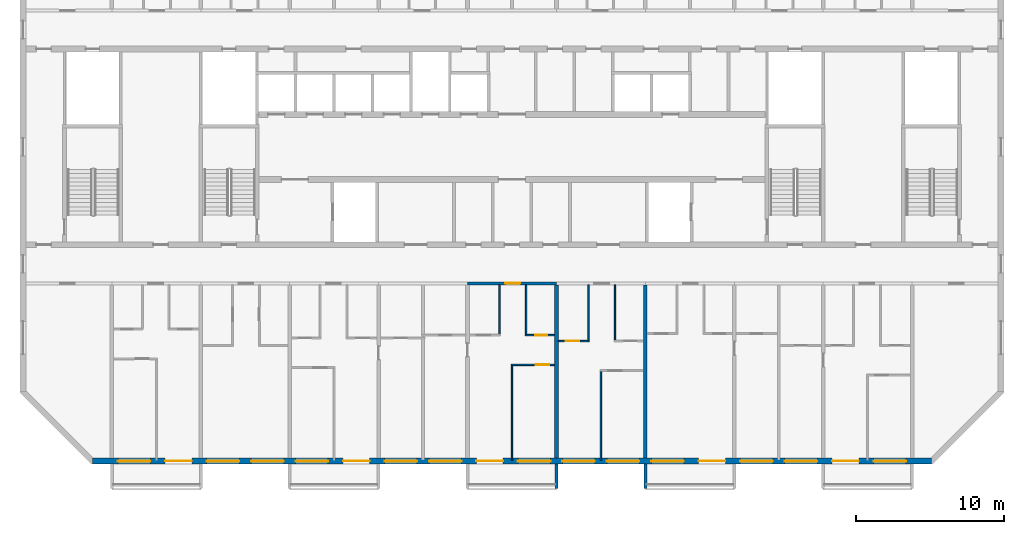
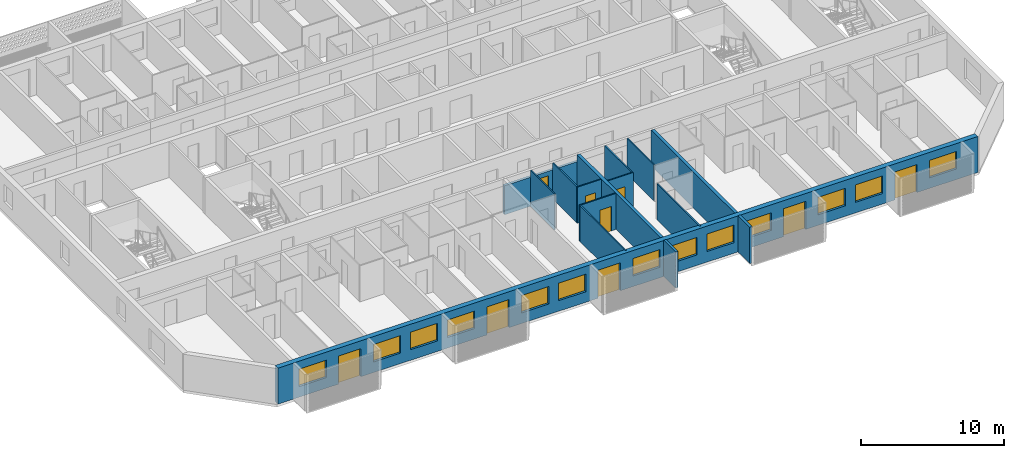
# One storey, part 4 of 27: 15 walls, 13 windows, 9 doors, 22 openings.
"""IFC4 building model written with IfcOpenShell, lengths in metres."""

from ifc_helpers import new_model, si_unit, direction, frame, frame_2d, origin, place, context, subcontext, project, spatial, polyline, rectangle, outline, extrude, source, transform, mapped, material, layer, layer_set, type_object, element, fill, save


model = new_model("IFC4")

# Units and contexts
model_context = context("Model", 3, precision=1e-05, world=origin(), true_north=direction((0.0, 1.0)))
body_context = subcontext(model_context, "Body", "Model", "MODEL_VIEW")
ifc_project = project(units=[si_unit("LENGTHUNIT", "METRE"), si_unit("AREAUNIT", "SQUARE_METRE"), si_unit("VOLUMEUNIT", "CUBIC_METRE"), si_unit("PLANEANGLEUNIT", "RADIAN"), si_unit("MASSUNIT", "GRAM", prefix="KILO")], contexts=[model_context])

# Site, building, storey
site_placement = place(None, origin())
site = spatial("IfcSite", under=ifc_project, at=site_placement, CompositionType="ELEMENT")
building_placement = place(site_placement, origin())
building = spatial("IfcBuilding", under=site, at=building_placement, Name="Poui Terraces", CompositionType="ELEMENT")
storey_placement = place(building_placement, frame((0.0, 0.0, 198.300048828125)))
storey = spatial("IfcBuildingStorey", under=building, at=storey_placement, Name="L55", CompositionType="ELEMENT", Elevation=198.300048828125)

# Wall, opening, door
ifc_material_1 = material(Name="Concrete 50 MPa", Category="concrete")
ifc_layer_1 = layer(ifc_material_1, 0.199951171875)
ifc_layer_set_1 = layer_set([ifc_layer_1], Name="Concrete 50 MPa")
wall_type_1 = type_object("IfcWallType", Name="CORRIDOR WALL 200 50MPa", PredefinedType="SHEAR", material=ifc_layer_set_1)
wall_1_placement = place(storey_placement, frame((48.0, 12.0, 0.0), z_axis=(0.0, 0.0, 1.0), x_axis=(1.0, 0.0, 0.0)))
wall_1 = element("IfcWall", 1, at=wall_1_placement, inside=storey, type_object=wall_type_1, Name="CORRIDOR WALL LINE B BAY 6", PredefinedType="SHEAR", context=body_context, shape_type="SweptSolid", body=[
    extrude(rectangle(XDim=6.0, YDim=0.199951171875, at=frame_2d((3.0, 0.0))), origin(), (0.0, 0.0, 1.0), 2.47998046875),
])
opening_1_placement = place(wall_1_placement, frame((2.550048828125, 0.0, 0.0)))
opening_1 = element("IfcOpeningElement", 2, at=opening_1_placement, cuts=wall_1, Name="Opening FD30S", PredefinedType="OPENING", context=body_context, shape_type="SweptSolid", body=[
    extrude(rectangle(XDim=1.0, YDim=2.10009765625, at=frame_2d((0.5, 1.050048828125))), frame((0.0, 0.10986328125, 0.0), z_axis=(0.0, -1.0, 0.0), x_axis=(1.0, 0.0, 0.0)), (0.0, 0.0, 1.0), 0.219970703125),
])
ifc_material_2 = material(Name="Steel fire door", Category="steel")
door_type_1 = type_object("IfcDoorType", Name="FLAT ENTRANCE DOOR 1000 X 2100", OperationType="NOTDEFINED", PredefinedType="DOOR", material=ifc_material_2)
door_1_placement = place(opening_1_placement, frame((1.0, 0.0, 0.0), z_axis=(0.0, 0.0, 1.0), x_axis=(-1.0, 0.0, 0.0)))
door_1 = element("IfcDoor", 3, at=door_1_placement, inside=storey, type_object=door_type_1, Name="FLAT ENTRANCE DOOR 080", OperationType="SINGLE_SWING_LEFT", OverallHeight=2.10009765625, OverallWidth=1.0, PredefinedType="DOOR", context=body_context, shape_type="SweptSolid", body=[
    extrude(rectangle(XDim=1.0, YDim=2.10009765625, at=frame_2d((0.5, 1.050048828125))), frame((0.0, 0.02490234375, 0.0), z_axis=(0.0, -1.0, 0.0), x_axis=(1.0, 0.0, 0.0)), (0.0, 0.0, 1.0), 0.050048828125),
])
fill(opening_1, door_1)

# Walls
ifc_layer_2 = layer(ifc_material_1, 0.25)
ifc_layer_set_2 = layer_set([ifc_layer_2], Name="Concrete 50 MPa")
wall_type_2 = type_object("IfcWallType", Name="CROSS WALL 250 50MPa", PredefinedType="SHEAR", material=ifc_layer_set_2)
for number, where, z_axis, x_axis, name in (
    (4, (54.0, 0.199951171875, 0.0), (0.0, 0.0, 1.0), (0.0, 1.0, 0.0), "CROSS WALL LINE 10 SOUTH"),
    (5, (60.0, 0.199951171875, 0.0), (0.0, 0.0, 1.0), (0.0, 1.0, 0.0), "CROSS WALL LINE 11 SOUTH"),
):
    element("IfcWall", number, at=place(storey_placement, frame(where, z_axis=z_axis, x_axis=x_axis)), inside=storey, type_object=wall_type_2, Name=name, PredefinedType="SHEAR", context=body_context, shape_type="SweptSolid", body=[
        extrude(rectangle(XDim=11.699951171875, YDim=0.25, at=frame_2d((5.85009765625, 0.0))), origin(), (0.0, 0.0, 1.0), 3.079833984375),
    ])

# Wall, openings, doors, windows
ifc_material_3 = material(Name="Precast concrete 40 MPa", Category="concrete")
ifc_layer_3 = layer(ifc_material_3, 0.39990234375)
ifc_layer_set_3 = layer_set([ifc_layer_3], Name="Precast concrete 40 MPa")
wall_type_3 = type_object("IfcWallType", Name="EXTERNAL WALL 400", PredefinedType="STANDARD", material=ifc_layer_set_3)
wall_2_placement = place(storey_placement, frame((22.682861328125, 0.0, 0.0), z_axis=(0.0, 0.0, 1.0), x_axis=(1.0, 0.0, 0.0)))
wall_2 = element("IfcWall", 6, at=wall_2_placement, inside=storey, type_object=wall_type_3, Name="EXTERNAL WALL S", PredefinedType="STANDARD", context=body_context, shape_type="SweptSolid", body=[
    extrude(rectangle(XDim=56.63427734375, YDim=0.39990234375, at=frame_2d((28.317138671875, 0.0))), origin(), (0.0, 0.0, 1.0), 3.079833984375),
])
opening_2_placement = place(wall_2_placement, frame((1.71728515625, 0.0, 0.89990234375)))
opening_2 = element("IfcOpeningElement", 7, at=opening_2_placement, cuts=wall_2, Name="Opening W1", PredefinedType="OPENING", context=body_context, shape_type="SweptSolid", body=[
    extrude(rectangle(XDim=2.199951171875, YDim=1.5, at=frame_2d((1.10009765625, 0.75))), frame((0.0, 0.2099609375, 0.0), z_axis=(0.0, -1.0, 0.0), x_axis=(1.0, 0.0, 0.0)), (0.0, 0.0, 1.0), 0.419921875),
])
opening_3_placement = place(wall_2_placement, frame((4.917236328125, 0.0, 0.0)))
opening_3 = element("IfcOpeningElement", 8, at=opening_3_placement, cuts=wall_2, Name="Opening BD1", PredefinedType="OPENING", context=body_context, shape_type="SweptSolid", body=[
    extrude(rectangle(XDim=1.800048828125, YDim=2.39990234375, at=frame_2d((0.89990234375, 1.199951171875))), frame((0.0, 0.2099609375, 0.0), z_axis=(0.0, -1.0, 0.0), x_axis=(1.0, 0.0, 0.0)), (0.0, 0.0, 1.0), 0.419921875),
])
opening_4_placement = place(wall_2_placement, frame((7.71728515625, 0.0, 0.89990234375)))
opening_4 = element("IfcOpeningElement", 9, at=opening_4_placement, cuts=wall_2, Name="Opening W1", PredefinedType="OPENING", context=body_context, shape_type="SweptSolid", body=[
    extrude(rectangle(XDim=2.199951171875, YDim=1.5, at=frame_2d((1.10009765625, 0.75))), frame((0.0, 0.2099609375, 0.0), z_axis=(0.0, -1.0, 0.0), x_axis=(1.0, 0.0, 0.0)), (0.0, 0.0, 1.0), 0.419921875),
])
opening_5_placement = place(wall_2_placement, frame((10.71728515625, 0.0, 0.89990234375)))
opening_5 = element("IfcOpeningElement", 10, at=opening_5_placement, cuts=wall_2, Name="Opening W1", PredefinedType="OPENING", context=body_context, shape_type="SweptSolid", body=[
    extrude(rectangle(XDim=2.199951171875, YDim=1.5, at=frame_2d((1.10009765625, 0.75))), frame((0.0, 0.2099609375, 0.0), z_axis=(0.0, -1.0, 0.0), x_axis=(1.0, 0.0, 0.0)), (0.0, 0.0, 1.0), 0.419921875),
])
opening_6_placement = place(wall_2_placement, frame((13.71728515625, 0.0, 0.89990234375)))
opening_6 = element("IfcOpeningElement", 11, at=opening_6_placement, cuts=wall_2, Name="Opening W1", PredefinedType="OPENING", context=body_context, shape_type="SweptSolid", body=[
    extrude(rectangle(XDim=2.199951171875, YDim=1.5, at=frame_2d((1.10009765625, 0.75))), frame((0.0, 0.2099609375, 0.0), z_axis=(0.0, -1.0, 0.0), x_axis=(1.0, 0.0, 0.0)), (0.0, 0.0, 1.0), 0.419921875),
])
opening_7_placement = place(wall_2_placement, frame((16.917236328125, 0.0, 0.0)))
opening_7 = element("IfcOpeningElement", 12, at=opening_7_placement, cuts=wall_2, Name="Opening BD1", PredefinedType="OPENING", context=body_context, shape_type="SweptSolid", body=[
    extrude(rectangle(XDim=1.800048828125, YDim=2.39990234375, at=frame_2d((0.89990234375, 1.199951171875))), frame((0.0, 0.2099609375, 0.0), z_axis=(0.0, -1.0, 0.0), x_axis=(1.0, 0.0, 0.0)), (0.0, 0.0, 1.0), 0.419921875),
])
opening_8_placement = place(wall_2_placement, frame((19.71728515625, 0.0, 0.89990234375)))
opening_8 = element("IfcOpeningElement", 13, at=opening_8_placement, cuts=wall_2, Name="Opening W1", PredefinedType="OPENING", context=body_context, shape_type="SweptSolid", body=[
    extrude(rectangle(XDim=2.199951171875, YDim=1.5, at=frame_2d((1.10009765625, 0.75))), frame((0.0, 0.2099609375, 0.0), z_axis=(0.0, -1.0, 0.0), x_axis=(1.0, 0.0, 0.0)), (0.0, 0.0, 1.0), 0.419921875),
])
opening_9_placement = place(wall_2_placement, frame((22.71728515625, 0.0, 0.89990234375)))
opening_9 = element("IfcOpeningElement", 14, at=opening_9_placement, cuts=wall_2, Name="Opening W1", PredefinedType="OPENING", context=body_context, shape_type="SweptSolid", body=[
    extrude(rectangle(XDim=2.199951171875, YDim=1.5, at=frame_2d((1.10009765625, 0.75))), frame((0.0, 0.2099609375, 0.0), z_axis=(0.0, -1.0, 0.0), x_axis=(1.0, 0.0, 0.0)), (0.0, 0.0, 1.0), 0.419921875),
])
opening_10_placement = place(wall_2_placement, frame((25.917236328125, 0.0, 0.0)))
opening_10 = element("IfcOpeningElement", 15, at=opening_10_placement, cuts=wall_2, Name="Opening BD1", PredefinedType="OPENING", context=body_context, shape_type="SweptSolid", body=[
    extrude(rectangle(XDim=1.800048828125, YDim=2.39990234375, at=frame_2d((0.89990234375, 1.199951171875))), frame((0.0, 0.2099609375, 0.0), z_axis=(0.0, -1.0, 0.0), x_axis=(1.0, 0.0, 0.0)), (0.0, 0.0, 1.0), 0.419921875),
])
opening_11_placement = place(wall_2_placement, frame((28.71728515625, 0.0, 0.89990234375)))
opening_11 = element("IfcOpeningElement", 16, at=opening_11_placement, cuts=wall_2, Name="Opening W1", PredefinedType="OPENING", context=body_context, shape_type="SweptSolid", body=[
    extrude(rectangle(XDim=2.199951171875, YDim=1.5, at=frame_2d((1.10009765625, 0.75))), frame((0.0, 0.2099609375, 0.0), z_axis=(0.0, -1.0, 0.0), x_axis=(1.0, 0.0, 0.0)), (0.0, 0.0, 1.0), 0.419921875),
])
opening_12_placement = place(wall_2_placement, frame((31.71728515625, 0.0, 0.89990234375)))
opening_12 = element("IfcOpeningElement", 17, at=opening_12_placement, cuts=wall_2, Name="Opening W1", PredefinedType="OPENING", context=body_context, shape_type="SweptSolid", body=[
    extrude(rectangle(XDim=2.199951171875, YDim=1.5, at=frame_2d((1.10009765625, 0.75))), frame((0.0, 0.2099609375, 0.0), z_axis=(0.0, -1.0, 0.0), x_axis=(1.0, 0.0, 0.0)), (0.0, 0.0, 1.0), 0.419921875),
])
opening_13_placement = place(wall_2_placement, frame((34.71728515625, 0.0, 0.89990234375)))
opening_13 = element("IfcOpeningElement", 18, at=opening_13_placement, cuts=wall_2, Name="Opening W1", PredefinedType="OPENING", context=body_context, shape_type="SweptSolid", body=[
    extrude(rectangle(XDim=2.199951171875, YDim=1.5, at=frame_2d((1.10009765625, 0.75))), frame((0.0, 0.2099609375, 0.0), z_axis=(0.0, -1.0, 0.0), x_axis=(1.0, 0.0, 0.0)), (0.0, 0.0, 1.0), 0.419921875),
])
opening_14_placement = place(wall_2_placement, frame((37.71728515625, 0.0, 0.89990234375)))
opening_14 = element("IfcOpeningElement", 19, at=opening_14_placement, cuts=wall_2, Name="Opening W1", PredefinedType="OPENING", context=body_context, shape_type="SweptSolid", body=[
    extrude(rectangle(XDim=2.199951171875, YDim=1.5, at=frame_2d((1.10009765625, 0.75))), frame((0.0, 0.2099609375, 0.0), z_axis=(0.0, -1.0, 0.0), x_axis=(1.0, 0.0, 0.0)), (0.0, 0.0, 1.0), 0.419921875),
])
opening_15_placement = place(wall_2_placement, frame((40.917236328125, 0.0, 0.0)))
opening_15 = element("IfcOpeningElement", 20, at=opening_15_placement, cuts=wall_2, Name="Opening BD1", PredefinedType="OPENING", context=body_context, shape_type="SweptSolid", body=[
    extrude(rectangle(XDim=1.800048828125, YDim=2.39990234375, at=frame_2d((0.89990234375, 1.199951171875))), frame((0.0, 0.2099609375, 0.0), z_axis=(0.0, -1.0, 0.0), x_axis=(1.0, 0.0, 0.0)), (0.0, 0.0, 1.0), 0.419921875),
])
opening_16_placement = place(wall_2_placement, frame((43.71728515625, 0.0, 0.89990234375)))
opening_16 = element("IfcOpeningElement", 21, at=opening_16_placement, cuts=wall_2, Name="Opening W1", PredefinedType="OPENING", context=body_context, shape_type="SweptSolid", body=[
    extrude(rectangle(XDim=2.199951171875, YDim=1.5, at=frame_2d((1.10009765625, 0.75))), frame((0.0, 0.2099609375, 0.0), z_axis=(0.0, -1.0, 0.0), x_axis=(1.0, 0.0, 0.0)), (0.0, 0.0, 1.0), 0.419921875),
])
opening_17_placement = place(wall_2_placement, frame((46.71728515625, 0.0, 0.89990234375)))
opening_17 = element("IfcOpeningElement", 22, at=opening_17_placement, cuts=wall_2, Name="Opening W1", PredefinedType="OPENING", context=body_context, shape_type="SweptSolid", body=[
    extrude(rectangle(XDim=2.199951171875, YDim=1.5, at=frame_2d((1.10009765625, 0.75))), frame((0.0, 0.2099609375, 0.0), z_axis=(0.0, -1.0, 0.0), x_axis=(1.0, 0.0, 0.0)), (0.0, 0.0, 1.0), 0.419921875),
])
opening_18_placement = place(wall_2_placement, frame((49.917236328125, 0.0, 0.0)))
opening_18 = element("IfcOpeningElement", 23, at=opening_18_placement, cuts=wall_2, Name="Opening BD1", PredefinedType="OPENING", context=body_context, shape_type="SweptSolid", body=[
    extrude(rectangle(XDim=1.800048828125, YDim=2.39990234375, at=frame_2d((0.89990234375, 1.199951171875))), frame((0.0, 0.2099609375, 0.0), z_axis=(0.0, -1.0, 0.0), x_axis=(1.0, 0.0, 0.0)), (0.0, 0.0, 1.0), 0.419921875),
])
opening_19_placement = place(wall_2_placement, frame((52.71728515625, 0.0, 0.89990234375)))
opening_19 = element("IfcOpeningElement", 24, at=opening_19_placement, cuts=wall_2, Name="Opening W1", PredefinedType="OPENING", context=body_context, shape_type="SweptSolid", body=[
    extrude(rectangle(XDim=2.199951171875, YDim=1.5, at=frame_2d((1.10009765625, 0.75))), frame((0.0, 0.2099609375, 0.0), z_axis=(0.0, -1.0, 0.0), x_axis=(1.0, 0.0, 0.0)), (0.0, 0.0, 1.0), 0.419921875),
])
ifc_material_4 = material(Name="Clear glass in aluminium frame", Category="aluminium")
door_type_2 = type_object("IfcDoorType", Name="BALCONY DOOR 1800X2400", OperationType="DOUBLE_DOOR_SLIDING", PredefinedType="DOOR", material=ifc_material_4)
door_2_placement = place(opening_3_placement, origin())
door_2 = element("IfcDoor", 25, at=door_2_placement, inside=storey, type_object=door_type_2, Name="BD1 BALCONY DOOR", OperationType="DOUBLE_DOOR_SLIDING", OverallHeight=2.39990234375, OverallWidth=1.800048828125, PredefinedType="DOOR", context=body_context, shape_type="SweptSolid", body=[
    extrude(rectangle(XDim=1.800048828125, YDim=2.39990234375, at=frame_2d((0.89990234375, 1.199951171875))), frame((0.0, 0.02490234375, 0.0), z_axis=(0.0, -1.0, 0.0), x_axis=(1.0, 0.0, 0.0)), (0.0, 0.0, 1.0), 0.050048828125),
])
fill(opening_3, door_2)
door_3_placement = place(opening_7_placement, origin())
door_3 = element("IfcDoor", 26, at=door_3_placement, inside=storey, type_object=door_type_2, Name="BD1 BALCONY DOOR", OperationType="DOUBLE_DOOR_SLIDING", OverallHeight=2.39990234375, OverallWidth=1.800048828125, PredefinedType="DOOR", context=body_context, shape_type="SweptSolid", body=[
    extrude(rectangle(XDim=1.800048828125, YDim=2.39990234375, at=frame_2d((0.89990234375, 1.199951171875))), frame((0.0, 0.02490234375, 0.0), z_axis=(0.0, -1.0, 0.0), x_axis=(1.0, 0.0, 0.0)), (0.0, 0.0, 1.0), 0.050048828125),
])
fill(opening_7, door_3)
door_4_placement = place(opening_10_placement, origin())
door_4 = element("IfcDoor", 27, at=door_4_placement, inside=storey, type_object=door_type_2, Name="BD1 BALCONY DOOR", OperationType="DOUBLE_DOOR_SLIDING", OverallHeight=2.39990234375, OverallWidth=1.800048828125, PredefinedType="DOOR", context=body_context, shape_type="SweptSolid", body=[
    extrude(rectangle(XDim=1.800048828125, YDim=2.39990234375, at=frame_2d((0.89990234375, 1.199951171875))), frame((0.0, 0.02490234375, 0.0), z_axis=(0.0, -1.0, 0.0), x_axis=(1.0, 0.0, 0.0)), (0.0, 0.0, 1.0), 0.050048828125),
])
fill(opening_10, door_4)
door_5_placement = place(opening_15_placement, origin())
door_5 = element("IfcDoor", 28, at=door_5_placement, inside=storey, type_object=door_type_2, Name="BD1 BALCONY DOOR", OperationType="DOUBLE_DOOR_SLIDING", OverallHeight=2.39990234375, OverallWidth=1.800048828125, PredefinedType="DOOR", context=body_context, shape_type="SweptSolid", body=[
    extrude(rectangle(XDim=1.800048828125, YDim=2.39990234375, at=frame_2d((0.89990234375, 1.199951171875))), frame((0.0, 0.02490234375, 0.0), z_axis=(0.0, -1.0, 0.0), x_axis=(1.0, 0.0, 0.0)), (0.0, 0.0, 1.0), 0.050048828125),
])
fill(opening_15, door_5)
door_6_placement = place(opening_18_placement, origin())
door_6 = element("IfcDoor", 29, at=door_6_placement, inside=storey, type_object=door_type_2, Name="BD1 BALCONY DOOR", OperationType="DOUBLE_DOOR_SLIDING", OverallHeight=2.39990234375, OverallWidth=1.800048828125, PredefinedType="DOOR", context=body_context, shape_type="SweptSolid", body=[
    extrude(rectangle(XDim=1.800048828125, YDim=2.39990234375, at=frame_2d((0.89990234375, 1.199951171875))), frame((0.0, 0.02490234375, 0.0), z_axis=(0.0, -1.0, 0.0), x_axis=(1.0, 0.0, 0.0)), (0.0, 0.0, 1.0), 0.050048828125),
])
fill(opening_18, door_6)
window_type = type_object("IfcWindowType", Name="WINDOW 2200X1500", PartitioningType="DOUBLE_PANEL_HORIZONTAL", PredefinedType="WINDOW", material=ifc_material_4)
window_1_placement = place(opening_2_placement, origin())
window_1 = element("IfcWindow", 30, at=window_1_placement, inside=storey, type_object=window_type, Name="W1 WINDOW", OverallHeight=1.5, OverallWidth=2.199951171875, PartitioningType="DOUBLE_PANEL_HORIZONTAL", PredefinedType="WINDOW", context=body_context, shape_type="SweptSolid", body=[
    extrude(rectangle(XDim=2.199951171875, YDim=1.5, at=frame_2d((1.10009765625, 0.75))), frame((0.0, 0.030029296875, 0.0), z_axis=(0.0, -1.0, 0.0), x_axis=(1.0, 0.0, 0.0)), (0.0, 0.0, 1.0), 0.06005859375),
])
fill(opening_2, window_1)
window_2_placement = place(opening_4_placement, origin())
window_2 = element("IfcWindow", 31, at=window_2_placement, inside=storey, type_object=window_type, Name="W1 WINDOW", OverallHeight=1.5, OverallWidth=2.199951171875, PartitioningType="DOUBLE_PANEL_HORIZONTAL", PredefinedType="WINDOW", context=body_context, shape_type="SweptSolid", body=[
    extrude(rectangle(XDim=2.199951171875, YDim=1.5, at=frame_2d((1.10009765625, 0.75))), frame((0.0, 0.030029296875, 0.0), z_axis=(0.0, -1.0, 0.0), x_axis=(1.0, 0.0, 0.0)), (0.0, 0.0, 1.0), 0.06005859375),
])
fill(opening_4, window_2)
window_3_placement = place(opening_5_placement, origin())
window_3 = element("IfcWindow", 32, at=window_3_placement, inside=storey, type_object=window_type, Name="W1 WINDOW", OverallHeight=1.5, OverallWidth=2.199951171875, PartitioningType="DOUBLE_PANEL_HORIZONTAL", PredefinedType="WINDOW", context=body_context, shape_type="SweptSolid", body=[
    extrude(rectangle(XDim=2.199951171875, YDim=1.5, at=frame_2d((1.10009765625, 0.75))), frame((0.0, 0.030029296875, 0.0), z_axis=(0.0, -1.0, 0.0), x_axis=(1.0, 0.0, 0.0)), (0.0, 0.0, 1.0), 0.06005859375),
])
fill(opening_5, window_3)
window_4_placement = place(opening_6_placement, origin())
window_4 = element("IfcWindow", 33, at=window_4_placement, inside=storey, type_object=window_type, Name="W1 WINDOW", OverallHeight=1.5, OverallWidth=2.199951171875, PartitioningType="DOUBLE_PANEL_HORIZONTAL", PredefinedType="WINDOW", context=body_context, shape_type="SweptSolid", body=[
    extrude(rectangle(XDim=2.199951171875, YDim=1.5, at=frame_2d((1.10009765625, 0.75))), frame((0.0, 0.030029296875, 0.0), z_axis=(0.0, -1.0, 0.0), x_axis=(1.0, 0.0, 0.0)), (0.0, 0.0, 1.0), 0.06005859375),
])
fill(opening_6, window_4)
window_5_placement = place(opening_8_placement, origin())
window_5 = element("IfcWindow", 34, at=window_5_placement, inside=storey, type_object=window_type, Name="W1 WINDOW", OverallHeight=1.5, OverallWidth=2.199951171875, PartitioningType="DOUBLE_PANEL_HORIZONTAL", PredefinedType="WINDOW", context=body_context, shape_type="SweptSolid", body=[
    extrude(rectangle(XDim=2.199951171875, YDim=1.5, at=frame_2d((1.10009765625, 0.75))), frame((0.0, 0.030029296875, 0.0), z_axis=(0.0, -1.0, 0.0), x_axis=(1.0, 0.0, 0.0)), (0.0, 0.0, 1.0), 0.06005859375),
])
fill(opening_8, window_5)
window_6_placement = place(opening_9_placement, origin())
window_6 = element("IfcWindow", 35, at=window_6_placement, inside=storey, type_object=window_type, Name="W1 WINDOW", OverallHeight=1.5, OverallWidth=2.199951171875, PartitioningType="DOUBLE_PANEL_HORIZONTAL", PredefinedType="WINDOW", context=body_context, shape_type="SweptSolid", body=[
    extrude(rectangle(XDim=2.199951171875, YDim=1.5, at=frame_2d((1.10009765625, 0.75))), frame((0.0, 0.030029296875, 0.0), z_axis=(0.0, -1.0, 0.0), x_axis=(1.0, 0.0, 0.0)), (0.0, 0.0, 1.0), 0.06005859375),
])
fill(opening_9, window_6)
window_7_placement = place(opening_11_placement, origin())
window_7 = element("IfcWindow", 36, at=window_7_placement, inside=storey, type_object=window_type, Name="W1 WINDOW", OverallHeight=1.5, OverallWidth=2.199951171875, PartitioningType="DOUBLE_PANEL_HORIZONTAL", PredefinedType="WINDOW", context=body_context, shape_type="SweptSolid", body=[
    extrude(rectangle(XDim=2.199951171875, YDim=1.5, at=frame_2d((1.10009765625, 0.75))), frame((0.0, 0.030029296875, 0.0), z_axis=(0.0, -1.0, 0.0), x_axis=(1.0, 0.0, 0.0)), (0.0, 0.0, 1.0), 0.06005859375),
])
fill(opening_11, window_7)
window_8_placement = place(opening_12_placement, origin())
window_8 = element("IfcWindow", 37, at=window_8_placement, inside=storey, type_object=window_type, Name="W1 WINDOW", OverallHeight=1.5, OverallWidth=2.199951171875, PartitioningType="DOUBLE_PANEL_HORIZONTAL", PredefinedType="WINDOW", context=body_context, shape_type="SweptSolid", body=[
    extrude(rectangle(XDim=2.199951171875, YDim=1.5, at=frame_2d((1.10009765625, 0.75))), frame((0.0, 0.030029296875, 0.0), z_axis=(0.0, -1.0, 0.0), x_axis=(1.0, 0.0, 0.0)), (0.0, 0.0, 1.0), 0.06005859375),
])
fill(opening_12, window_8)
window_9_placement = place(opening_13_placement, origin())
window_9 = element("IfcWindow", 38, at=window_9_placement, inside=storey, type_object=window_type, Name="W1 WINDOW", OverallHeight=1.5, OverallWidth=2.199951171875, PartitioningType="DOUBLE_PANEL_HORIZONTAL", PredefinedType="WINDOW", context=body_context, shape_type="SweptSolid", body=[
    extrude(rectangle(XDim=2.199951171875, YDim=1.5, at=frame_2d((1.10009765625, 0.75))), frame((0.0, 0.030029296875, 0.0), z_axis=(0.0, -1.0, 0.0), x_axis=(1.0, 0.0, 0.0)), (0.0, 0.0, 1.0), 0.06005859375),
])
fill(opening_13, window_9)
window_10_placement = place(opening_14_placement, origin())
window_10 = element("IfcWindow", 39, at=window_10_placement, inside=storey, type_object=window_type, Name="W1 WINDOW", OverallHeight=1.5, OverallWidth=2.199951171875, PartitioningType="DOUBLE_PANEL_HORIZONTAL", PredefinedType="WINDOW", context=body_context, shape_type="SweptSolid", body=[
    extrude(rectangle(XDim=2.199951171875, YDim=1.5, at=frame_2d((1.10009765625, 0.75))), frame((0.0, 0.030029296875, 0.0), z_axis=(0.0, -1.0, 0.0), x_axis=(1.0, 0.0, 0.0)), (0.0, 0.0, 1.0), 0.06005859375),
])
fill(opening_14, window_10)
window_11_placement = place(opening_16_placement, origin())
window_11 = element("IfcWindow", 40, at=window_11_placement, inside=storey, type_object=window_type, Name="W1 WINDOW", OverallHeight=1.5, OverallWidth=2.199951171875, PartitioningType="DOUBLE_PANEL_HORIZONTAL", PredefinedType="WINDOW", context=body_context, shape_type="SweptSolid", body=[
    extrude(rectangle(XDim=2.199951171875, YDim=1.5, at=frame_2d((1.10009765625, 0.75))), frame((0.0, 0.030029296875, 0.0), z_axis=(0.0, -1.0, 0.0), x_axis=(1.0, 0.0, 0.0)), (0.0, 0.0, 1.0), 0.06005859375),
])
fill(opening_16, window_11)
window_12_placement = place(opening_17_placement, origin())
window_12 = element("IfcWindow", 41, at=window_12_placement, inside=storey, type_object=window_type, Name="W1 WINDOW", OverallHeight=1.5, OverallWidth=2.199951171875, PartitioningType="DOUBLE_PANEL_HORIZONTAL", PredefinedType="WINDOW", context=body_context, shape_type="SweptSolid", body=[
    extrude(rectangle(XDim=2.199951171875, YDim=1.5, at=frame_2d((1.10009765625, 0.75))), frame((0.0, 0.030029296875, 0.0), z_axis=(0.0, -1.0, 0.0), x_axis=(1.0, 0.0, 0.0)), (0.0, 0.0, 1.0), 0.06005859375),
])
fill(opening_17, window_12)
window_13_placement = place(opening_19_placement, origin())
window_13 = element("IfcWindow", 42, at=window_13_placement, inside=storey, type_object=window_type, Name="W1 WINDOW", OverallHeight=1.5, OverallWidth=2.199951171875, PartitioningType="DOUBLE_PANEL_HORIZONTAL", PredefinedType="WINDOW", context=body_context, shape_type="SweptSolid", body=[
    extrude(rectangle(XDim=2.199951171875, YDim=1.5, at=frame_2d((1.10009765625, 0.75))), frame((0.0, 0.030029296875, 0.0), z_axis=(0.0, -1.0, 0.0), x_axis=(1.0, 0.0, 0.0)), (0.0, 0.0, 1.0), 0.06005859375),
])
fill(opening_19, window_13)

# Wall, opening, door
ifc_material_5 = material(Name="Plasterboard partition")
ifc_layer_4 = layer(ifc_material_5, 0.10009765625)
ifc_layer_set_4 = layer_set([ifc_layer_4], Name="Plasterboard partition")
wall_type_4 = type_object("IfcWallType", Name="FLAT PARTITION 100", PredefinedType="PARTITIONING", material=ifc_layer_set_4)
wall_3_placement = place(storey_placement, frame((50.949951171875, 6.5, 0.0), z_axis=(0.0, 0.0, 1.0), x_axis=(1.0, 0.0, 0.0)))
wall_3 = element("IfcWall", 43, at=wall_3_placement, inside=storey, type_object=wall_type_4, Name="FLAT PARTITION 100", PredefinedType="PARTITIONING", context=body_context, shape_type="SweptSolid", body=[
    extrude(rectangle(XDim=2.9150390625, YDim=0.10009765625, at=frame_2d((1.45751953125, 0.0))), origin(), (0.0, 0.0, 1.0), 3.079833984375),
])
opening_20_placement = place(wall_3_placement, frame((1.64990234375, 0.0, 0.0)))
opening_20 = element("IfcOpeningElement", 44, at=opening_20_placement, cuts=wall_3, Name="Opening D90", PredefinedType="OPENING", context=body_context, shape_type="SweptSolid", body=[
    extrude(rectangle(XDim=0.89990234375, YDim=2.10009765625, at=frame_2d((0.449951171875, 1.050048828125))), frame((0.0, 0.06005859375, 0.0), z_axis=(0.0, -1.0, 0.0), x_axis=(1.0, 0.0, 0.0)), (0.0, 0.0, 1.0), 0.1201171875),
])
ifc_material_6 = material(Name="Solid core timber door", Category="wood")
door_type_3 = type_object("IfcDoorType", Name="INTERNAL DOOR 900 X 2100", OperationType="NOTDEFINED", PredefinedType="DOOR", material=ifc_material_6)
door_7_placement = place(opening_20_placement, origin())
door_7 = element("IfcDoor", 45, at=door_7_placement, inside=storey, type_object=door_type_3, Name="INTERNAL DOOR 082", OperationType="SINGLE_SWING_LEFT", OverallHeight=2.10009765625, OverallWidth=0.89990234375, PredefinedType="DOOR", context=body_context, shape_type="SweptSolid", body=[
    extrude(rectangle(XDim=0.89990234375, YDim=2.10009765625, at=frame_2d((0.449951171875, 1.050048828125))), frame((0.0, 0.02490234375, 0.0), z_axis=(0.0, -1.0, 0.0), x_axis=(1.0, 0.0, 0.0)), (0.0, 0.0, 1.0), 0.050048828125),
])
fill(opening_20, door_7)

wall_4_placement = place(storey_placement, frame((54.135009765625, 8.10009765625, 0.0), z_axis=(0.0, 0.0, 1.0), x_axis=(1.0, 0.0, 0.0)))
wall_4 = element("IfcWall", 46, at=wall_4_placement, inside=storey, type_object=wall_type_4, Name="FLAT PARTITION 100", PredefinedType="PARTITIONING", context=body_context, shape_type="SweptSolid", body=[
    extrude(rectangle(XDim=2.06494140625, YDim=0.10009765625, at=frame_2d((1.032470703125, 0.0))), origin(), (0.0, 0.0, 1.0), 3.079833984375),
])
opening_21_placement = place(wall_4_placement, frame((0.489990234375, 0.0, 0.0)))
opening_21 = element("IfcOpeningElement", 47, at=opening_21_placement, cuts=wall_4, Name="Opening D90", PredefinedType="OPENING", context=body_context, shape_type="SweptSolid", body=[
    extrude(rectangle(XDim=0.89990234375, YDim=2.10009765625, at=frame_2d((0.449951171875, 1.050048828125))), frame((0.0, 0.06005859375, 0.0), z_axis=(0.0, -1.0, 0.0), x_axis=(1.0, 0.0, 0.0)), (0.0, 0.0, 1.0), 0.1201171875),
])
door_8_placement = place(opening_21_placement, origin())
door_8 = element("IfcDoor", 48, at=door_8_placement, inside=storey, type_object=door_type_3, Name="INTERNAL DOOR 083", OperationType="SINGLE_SWING_RIGHT", OverallHeight=2.10009765625, OverallWidth=0.89990234375, PredefinedType="DOOR", context=body_context, shape_type="SweptSolid", body=[
    extrude(rectangle(XDim=0.89990234375, YDim=2.10009765625, at=frame_2d((0.449951171875, 1.050048828125))), frame((0.0, 0.02490234375, 0.0), z_axis=(0.0, -1.0, 0.0), x_axis=(1.0, 0.0, 0.0)), (0.0, 0.0, 1.0), 0.050048828125),
])
fill(opening_21, door_8)

wall_5_placement = place(storey_placement, frame((51.89990234375, 8.5, 0.0), z_axis=(0.0, 0.0, 1.0), x_axis=(1.0, 0.0, 0.0)))
wall_5 = element("IfcWall", 49, at=wall_5_placement, inside=storey, type_object=wall_type_4, Name="FLAT PARTITION 100", PredefinedType="PARTITIONING", context=body_context, shape_type="SweptSolid", body=[
    extrude(rectangle(XDim=1.965087890625, YDim=0.10009765625, at=frame_2d((0.982421875, 0.0))), origin(), (0.0, 0.0, 1.0), 3.079833984375),
])
opening_22_placement = place(wall_5_placement, frame((0.675048828125, 0.0, 0.0)))
opening_22 = element("IfcOpeningElement", 50, at=opening_22_placement, cuts=wall_5, Name="Opening D80", PredefinedType="OPENING", context=body_context, shape_type="SweptSolid", body=[
    extrude(rectangle(XDim=0.800048828125, YDim=2.10009765625, at=frame_2d((0.39990234375, 1.050048828125))), frame((0.0, 0.06005859375, 0.0), z_axis=(0.0, -1.0, 0.0), x_axis=(1.0, 0.0, 0.0)), (0.0, 0.0, 1.0), 0.1201171875),
])
door_type_4 = type_object("IfcDoorType", Name="BATHROOM, LAUNDRY AND STORE DOOR 800 X 2100", OperationType="NOTDEFINED", PredefinedType="DOOR", material=ifc_material_6)
door_9_placement = place(opening_22_placement, origin())
door_9 = element("IfcDoor", 51, at=door_9_placement, inside=storey, type_object=door_type_4, Name="BATHROOM, LAUNDRY AND STORE DOOR 081", OperationType="SINGLE_SWING_RIGHT", OverallHeight=2.10009765625, OverallWidth=0.800048828125, PredefinedType="DOOR", context=body_context, shape_type="SweptSolid", body=[
    extrude(rectangle(XDim=0.800048828125, YDim=2.10009765625, at=frame_2d((0.39990234375, 1.050048828125))), frame((0.0, 0.02490234375, 0.0), z_axis=(0.0, -1.0, 0.0), x_axis=(1.0, 0.0, 0.0)), (0.0, 0.0, 1.0), 0.050048828125),
])
fill(opening_22, door_9)

# Walls
wall_6_placement = place(storey_placement, frame((50.14990234375, 8.550048828125, 0.0), z_axis=(0.0, 0.0, 1.0), x_axis=(0.0, 1.0, 0.0)))
element("IfcWall", 52, at=wall_6_placement, inside=storey, type_object=wall_type_4, Name="FLAT PARTITION 100", PredefinedType="PARTITIONING", context=body_context, shape_type="SweptSolid", body=[
    extrude(rectangle(XDim=3.33984375, YDim=0.10009765625, at=frame_2d((1.669921875, 0.0))), origin(), (0.0, 0.0, 1.0), 3.079833984375),
])
wall_7_placement = place(storey_placement, frame((51.0, 0.06005859375, 0.0), z_axis=(0.0, 0.0, 1.0), x_axis=(0.0, 1.0, 0.0)))
element("IfcWall", 53, at=wall_7_placement, inside=storey, type_object=wall_type_4, Name="FLAT PARTITION 100", PredefinedType="PARTITIONING", context=body_context, shape_type="SweptSolid", body=[
    extrude(rectangle(XDim=6.389892578125, YDim=0.10009765625, at=frame_2d((3.19482421875, 0.0))), origin(), (0.0, 0.0, 1.0), 3.079833984375),
])
wall_8_placement = place(storey_placement, frame((51.949951171875, 8.550048828125, 0.0), z_axis=(0.0, 0.0, 1.0), x_axis=(0.0, 1.0, 0.0)))
element("IfcWall", 54, at=wall_8_placement, inside=storey, type_object=wall_type_4, Name="FLAT PARTITION 100", PredefinedType="PARTITIONING", context=body_context, shape_type="SweptSolid", body=[
    extrude(rectangle(XDim=3.33984375, YDim=0.10009765625, at=frame_2d((1.669921875, 0.0))), origin(), (0.0, 0.0, 1.0), 3.079833984375),
])
wall_9_placement = place(storey_placement, frame((56.14990234375, 8.14990234375, 0.0), z_axis=(0.0, 0.0, 1.0), x_axis=(0.0, 1.0, 0.0)))
element("IfcWall", 55, at=wall_9_placement, inside=storey, type_object=wall_type_4, Name="FLAT PARTITION 100", PredefinedType="PARTITIONING", context=body_context, shape_type="SweptSolid", body=[
    extrude(rectangle(XDim=3.739990234375, YDim=0.10009765625, at=frame_2d((1.8701171875, 0.0))), origin(), (0.0, 0.0, 1.0), 3.079833984375),
])
wall_10_placement = place(storey_placement, frame((57.0, 0.06005859375, 0.0), z_axis=(0.0, 0.0, 1.0), x_axis=(0.0, 1.0, 0.0)))
element("IfcWall", 56, at=wall_10_placement, inside=storey, type_object=wall_type_4, Name="FLAT PARTITION 100", PredefinedType="PARTITIONING", context=body_context, shape_type="SweptSolid", body=[
    extrude(rectangle(XDim=5.989990234375, YDim=0.10009765625, at=frame_2d((2.9951171875, 0.0))), origin(), (0.0, 0.0, 1.0), 3.079833984375),
])
wall_11_placement = place(storey_placement, frame((57.949951171875, 8.14990234375, 0.0), z_axis=(0.0, 0.0, 1.0), x_axis=(0.0, 1.0, 0.0)))
element("IfcWall", 57, at=wall_11_placement, inside=storey, type_object=wall_type_4, Name="FLAT PARTITION 100", PredefinedType="PARTITIONING", context=body_context, shape_type="SweptSolid", body=[
    extrude(rectangle(XDim=3.739990234375, YDim=0.10009765625, at=frame_2d((1.8701171875, 0.0))), origin(), (0.0, 0.0, 1.0), 3.079833984375),
])
ifc_layer_5 = layer(ifc_material_3, 0.199951171875)
ifc_layer_set_5 = layer_set([ifc_layer_5], Name="Precast concrete 40 MPa")
wall_type_5 = type_object("IfcWallType", Name="REAR FIN 200", PredefinedType="STANDARD", material=ifc_layer_set_5)
shared_shape = source(origin(), body_context, "Body", "SweptSolid", [
    extrude(outline(polyline([(0.0, 0.0), (0.2001953125, 0.0), (0.2001953125, 1.650146484375), (0.0, 1.650146484375), (0.0, 0.0)])), origin(), (0.0, 0.0, 1.0), 3.099853515625),
])
for number, where, name in (
    (58, (53.89990234375, -1.85009765625, 0.0), "REAR FIN"),
    (59, (59.89990234375, -1.85009765625, 0.0), "REAR FIN"),
):
    element("IfcWall", number, at=place(storey_placement, frame(where)), inside=storey, type_object=wall_type_5, Name=name, PredefinedType="STANDARD", context=body_context, shape_type="MappedRepresentation", body=[
        mapped(shared_shape, transform((0.0, 0.0, 0.0))),
    ])

save(model, "model.ifc")
